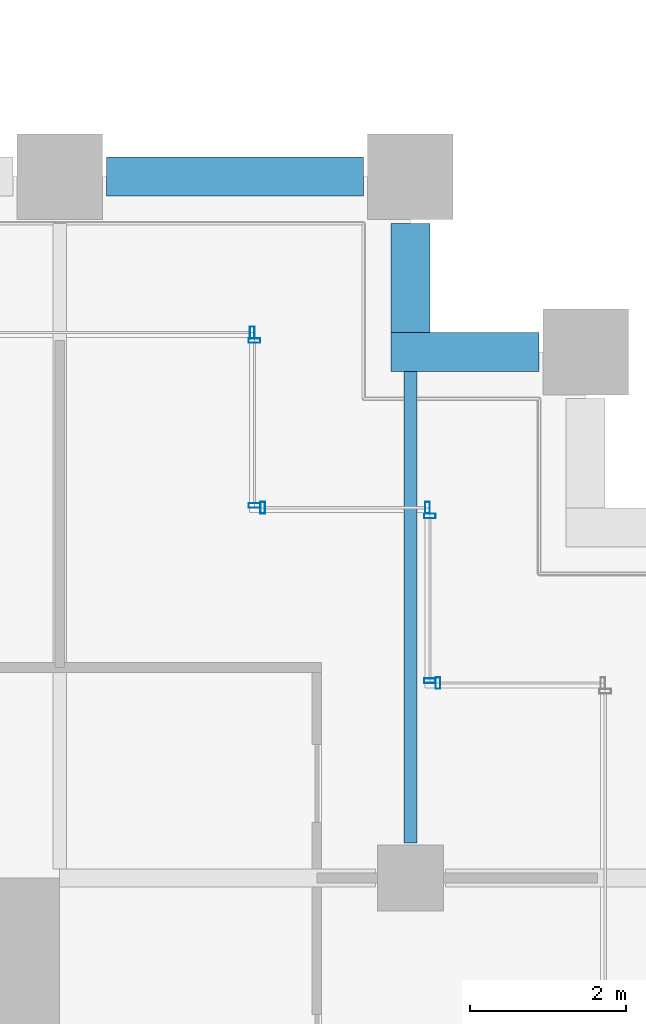
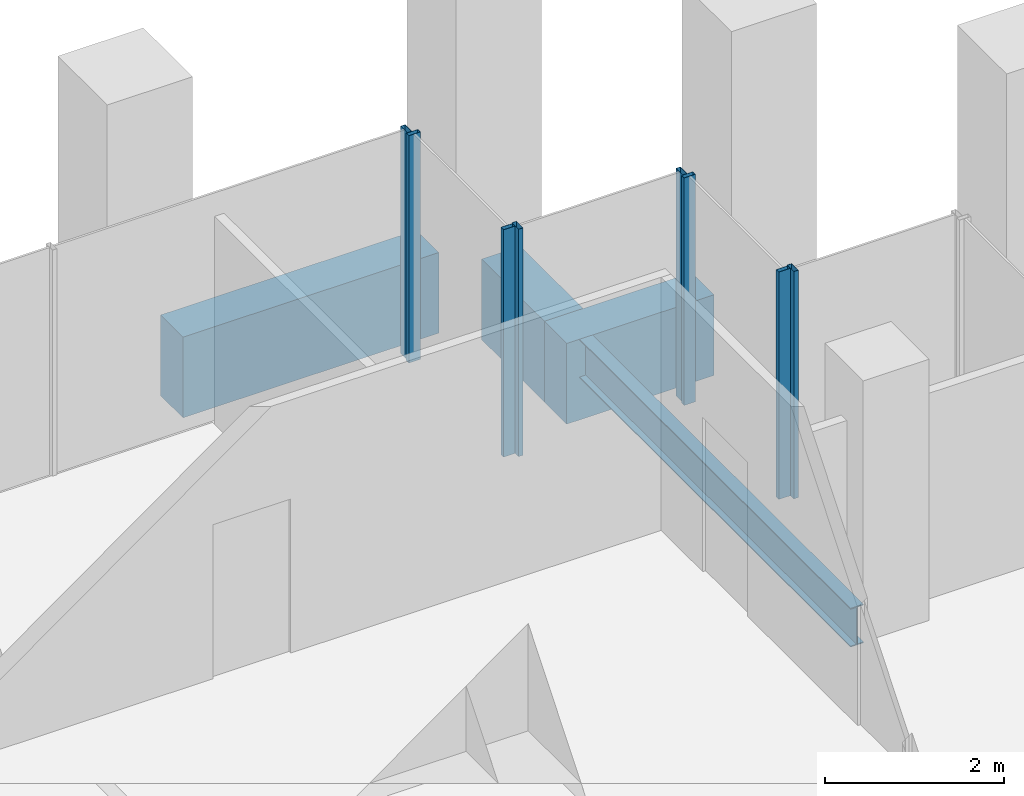
# One storey, part 44 of 55: 8 members, 4 beams, 5 elements without a shape of their own.
"""IFC4 building model written with IfcOpenShell, lengths in metres."""

from ifc_helpers import new_model, si_unit, direction, frame, origin, origin_2d, place, context, subcontext, project, spatial, rectangle, hollow_rectangle, i_section, extrude, material, material_profile, profile_set, type_object, element, aggregate, save


model = new_model("IFC4")

# Units and contexts
model_context = context("Model", 3, precision=1e-05, world=origin(), true_north=direction((0.0, 1.0)))
body_context = subcontext(model_context, "Body", "Model", "MODEL_VIEW")
ifc_project = project(units=[si_unit("LENGTHUNIT", "METRE"), si_unit("AREAUNIT", "SQUARE_METRE"), si_unit("VOLUMEUNIT", "CUBIC_METRE"), si_unit("PLANEANGLEUNIT", "RADIAN"), si_unit("MASSUNIT", "GRAM", prefix="KILO")], contexts=[model_context])

# Site, building, storey
site_placement = place(None, origin())
site = spatial("IfcSite", under=ifc_project, at=site_placement, CompositionType="ELEMENT")
building_placement = place(site_placement, origin())
building = spatial("IfcBuilding", under=site, at=building_placement, Name="Altepetl Exchange Towers", CompositionType="ELEMENT")
storey_placement = place(building_placement, frame((0.0, 0.0, 47.39990234375)))
storey = spatial("IfcBuildingStorey", under=building, at=storey_placement, Name="L10", CompositionType="ELEMENT", Elevation=47.39990234375)

# Beam
ifc_material_1 = material(Name="Steel S355", Category="steel")
ifc_material_profile_1 = material_profile(ifc_material_1, i_section(OverallWidth=0.166015625, OverallDepth=0.529052734375, WebThickness=0.009765625, FlangeThickness=0.013671875, at=origin_2d()), Name="W21X50")
ifc_profile_set_1 = profile_set([ifc_material_profile_1], Name="Steel S355")
beam_type_1 = type_object("IfcBeamType", Name="Floor beam W21X50", PredefinedType="BEAM", material=ifc_profile_set_1)
beam_1_placement = place(storey_placement, frame((121.5, 49.949951171875, -0.414306640625), z_axis=(0.0, 1.0, 0.0), x_axis=(-1.0, 0.0, 0.0)))
element("IfcBeam", 1, at=beam_1_placement, inside=storey, type_object=beam_type_1, Name="bm:B:L10:003", PredefinedType="BEAM", context=body_context, shape_type="SweptSolid", body=[
    extrude(i_section(OverallWidth=0.166015625, OverallDepth=0.529052734375, WebThickness=0.009765625, FlangeThickness=0.013671875, at=origin_2d()), origin(), (0.0, 0.0, 1.0), 6.050048828125),
])

# Curtain wall, member
ifc_material_2 = material(Name="Aluminium 6063-T6 glazing", Category="aluminium")
curtain_wall_type = type_object("IfcCurtainWallType", Name="Loggia glazing system", PredefinedType="NOTDEFINED", material=ifc_material_2)
curtain_wall_1_placement = place(storey_placement, origin())
curtain_wall_1 = element("IfcCurtainWall", 2, at=curtain_wall_1_placement, inside=storey, type_object=curtain_wall_type, Name="CW1 run", PredefinedType="NOTDEFINED")
ifc_material_3 = material(Name="Aluminium 6063-T6", Category="aluminium")
ifc_material_profile_2 = material_profile(ifc_material_3, hollow_rectangle(XDim=0.06005859375, YDim=0.14990234375, WallThickness=0.0029296875, at=origin_2d()), Name="Mullion 60x150 aluminium")
ifc_profile_set_2 = profile_set([ifc_material_profile_2], Name="Aluminium 6063-T6")
member_type = type_object("IfcMemberType", Name="Mullion 60x150 aluminium", PredefinedType="MULLION", material=ifc_profile_set_2)
member_1_placement = place(storey_placement, frame((121.85498046875, 52.0, 0.0), z_axis=(0.0, 0.0, 1.0), x_axis=(-1.0, 0.0, 0.0)))
member_1 = element("IfcMember", 3, at=member_1_placement, type_object=member_type, Name="MU1 mullion", PredefinedType="MULLION", context=body_context, shape_type="SweptSolid", body=[
    extrude(hollow_rectangle(XDim=0.06005859375, YDim=0.14990234375, WallThickness=0.0029296875, at=origin_2d()), origin(), (0.0, 0.0, 1.0), 3.10009765625),
])
aggregate(curtain_wall_1, [member_1])

# Curtain wall, members
curtain_wall_2_placement = place(storey_placement, origin())
curtain_wall_2 = element("IfcCurtainWall", 4, at=curtain_wall_2_placement, inside=storey, type_object=curtain_wall_type, Name="CW1 run", PredefinedType="NOTDEFINED")
member_2_placement = place(storey_placement, frame((121.75, 52.030029296875, 0.0), z_axis=(0.0, 0.0, 1.0), x_axis=(0.0, 1.0, 0.0)))
member_2 = element("IfcMember", 5, at=member_2_placement, type_object=member_type, Name="MU1 mullion", PredefinedType="MULLION", context=body_context, shape_type="SweptSolid", body=[
    extrude(hollow_rectangle(XDim=0.06005859375, YDim=0.14990234375, WallThickness=0.0029296875, at=origin_2d()), origin(), (0.0, 0.0, 1.0), 3.10009765625),
])
member_3_placement = place(storey_placement, frame((121.75, 54.14501953125, 0.0), z_axis=(0.0, 0.0, 1.0), x_axis=(0.0, 1.0, 0.0)))
member_3 = element("IfcMember", 6, at=member_3_placement, type_object=member_type, Name="MU1 mullion", PredefinedType="MULLION", context=body_context, shape_type="SweptSolid", body=[
    extrude(hollow_rectangle(XDim=0.06005859375, YDim=0.14990234375, WallThickness=0.0029296875, at=origin_2d()), origin(), (0.0, 0.0, 1.0), 3.10009765625),
])
aggregate(curtain_wall_2, [member_2, member_3])

curtain_wall_3_placement = place(storey_placement, origin())
curtain_wall_3 = element("IfcCurtainWall", 7, at=curtain_wall_3_placement, inside=storey, type_object=curtain_wall_type, Name="CW1 run", PredefinedType="NOTDEFINED")
member_4_placement = place(storey_placement, frame((121.719970703125, 54.25, 0.0), z_axis=(0.0, 0.0, 1.0), x_axis=(-1.0, 0.0, 0.0)))
member_4 = element("IfcMember", 8, at=member_4_placement, type_object=member_type, Name="MU1 mullion", PredefinedType="MULLION", context=body_context, shape_type="SweptSolid", body=[
    extrude(hollow_rectangle(XDim=0.06005859375, YDim=0.14990234375, WallThickness=0.0029296875, at=origin_2d()), origin(), (0.0, 0.0, 1.0), 3.10009765625),
])
member_5_placement = place(storey_placement, frame((119.60498046875, 54.25, 0.0), z_axis=(0.0, 0.0, 1.0), x_axis=(-1.0, 0.0, 0.0)))
member_5 = element("IfcMember", 9, at=member_5_placement, type_object=member_type, Name="MU1 mullion", PredefinedType="MULLION", context=body_context, shape_type="SweptSolid", body=[
    extrude(hollow_rectangle(XDim=0.06005859375, YDim=0.14990234375, WallThickness=0.0029296875, at=origin_2d()), origin(), (0.0, 0.0, 1.0), 3.10009765625),
])
aggregate(curtain_wall_3, [member_4, member_5])

curtain_wall_4_placement = place(storey_placement, origin())
curtain_wall_4 = element("IfcCurtainWall", 10, at=curtain_wall_4_placement, inside=storey, type_object=curtain_wall_type, Name="CW1 run", PredefinedType="NOTDEFINED")
member_6_placement = place(storey_placement, frame((119.5, 54.280029296875, 0.0), z_axis=(0.0, 0.0, 1.0), x_axis=(0.0, 1.0, 0.0)))
member_6 = element("IfcMember", 11, at=member_6_placement, type_object=member_type, Name="MU1 mullion", PredefinedType="MULLION", context=body_context, shape_type="SweptSolid", body=[
    extrude(hollow_rectangle(XDim=0.06005859375, YDim=0.14990234375, WallThickness=0.0029296875, at=origin_2d()), origin(), (0.0, 0.0, 1.0), 3.10009765625),
])
member_7_placement = place(storey_placement, frame((119.5, 56.39501953125, 0.0), z_axis=(0.0, 0.0, 1.0), x_axis=(0.0, 1.0, 0.0)))
member_7 = element("IfcMember", 12, at=member_7_placement, type_object=member_type, Name="MU1 mullion", PredefinedType="MULLION", context=body_context, shape_type="SweptSolid", body=[
    extrude(hollow_rectangle(XDim=0.06005859375, YDim=0.14990234375, WallThickness=0.0029296875, at=origin_2d()), origin(), (0.0, 0.0, 1.0), 3.10009765625),
])
aggregate(curtain_wall_4, [member_6, member_7])

# Curtain wall, member
curtain_wall_5_placement = place(storey_placement, origin())
curtain_wall_5 = element("IfcCurtainWall", 13, at=curtain_wall_5_placement, inside=storey, type_object=curtain_wall_type, Name="CW1 run", PredefinedType="NOTDEFINED")
member_8_placement = place(storey_placement, frame((119.469970703125, 56.5, 0.0), z_axis=(0.0, 0.0, 1.0), x_axis=(-1.0, 0.0, 0.0)))
member_8 = element("IfcMember", 14, at=member_8_placement, type_object=member_type, Name="MU1 mullion", PredefinedType="MULLION", context=body_context, shape_type="SweptSolid", body=[
    extrude(hollow_rectangle(XDim=0.06005859375, YDim=0.14990234375, WallThickness=0.0029296875, at=origin_2d()), origin(), (0.0, 0.0, 1.0), 3.10009765625),
])
aggregate(curtain_wall_5, [member_8])

# Beams
ifc_material_4 = material(Name="Concrete C50/60 precast with cantera amarilla facing", Category="concrete")
ifc_material_profile_3 = material_profile(ifc_material_4, rectangle(XDim=0.5, YDim=1.10009765625, at=origin_2d()), Name="500 x 1100")
ifc_profile_set_3 = profile_set([ifc_material_profile_3], Name="Concrete C50/60 precast with cantera amarilla facing")
beam_type_2 = type_object("IfcBeamType", Name="Spandrel beam 500x1100 cantera amarilla", PredefinedType="SPANDREL", material=ifc_profile_set_3)
beam_2_placement = place(storey_placement, frame((123.14990234375, 56.25, -0.699951171875), z_axis=(-1.0, 0.0, 0.0), x_axis=(0.0, -1.0, 0.0)))
element("IfcBeam", 15, at=beam_2_placement, inside=storey, type_object=beam_type_2, Name="sp:B:L10:016", PredefinedType="SPANDREL", context=body_context, shape_type="SweptSolid", body=[
    extrude(rectangle(XDim=0.5, YDim=1.10009765625, at=origin_2d()), origin(), (0.0, 0.0, 1.0), 1.89990234375),
])
beam_3_placement = place(storey_placement, frame((121.5, 56.5, -0.699951171875), z_axis=(0.0, 1.0, 0.0), x_axis=(-1.0, 0.0, 0.0)))
element("IfcBeam", 16, at=beam_3_placement, inside=storey, type_object=beam_type_2, Name="sp:B:L10:017", PredefinedType="SPANDREL", context=body_context, shape_type="SweptSolid", body=[
    extrude(rectangle(XDim=0.5, YDim=1.10009765625, at=origin_2d()), origin(), (0.0, 0.0, 1.0), 1.39990234375),
])
beam_4_placement = place(storey_placement, frame((120.89990234375, 58.5, -0.699951171875), z_axis=(-1.0, 0.0, 0.0), x_axis=(0.0, -1.0, 0.0)))
element("IfcBeam", 17, at=beam_4_placement, inside=storey, type_object=beam_type_2, Name="sp:B:L10:018", PredefinedType="SPANDREL", context=body_context, shape_type="SweptSolid", body=[
    extrude(rectangle(XDim=0.5, YDim=1.10009765625, at=origin_2d()), origin(), (0.0, 0.0, 1.0), 3.2998046875),
])

save(model, "model.ifc")
